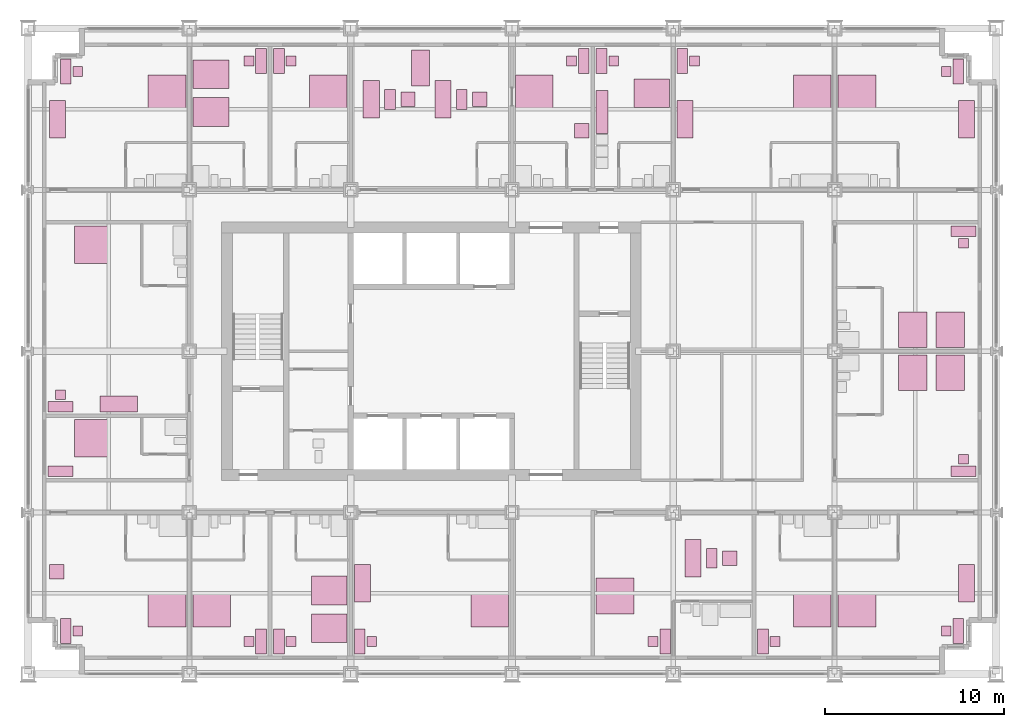
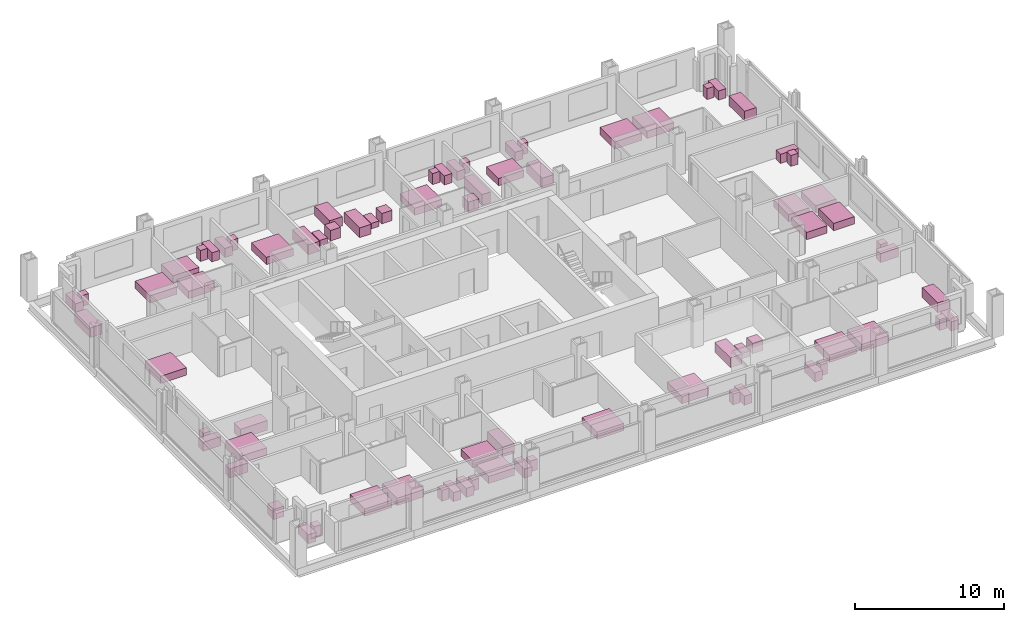
# One storey, part 18 of 18: 76 furniture elements.
"""IFC4 building model written with IfcOpenShell, lengths in metres."""

from ifc_helpers import new_model, si_unit, direction, frame, origin, origin_2d, place, context, subcontext, project, spatial, rectangle, extrude, element, save


model = new_model("IFC4")

# Units and contexts
model_context = context("Model", 3, precision=1e-05, world=origin(), true_north=direction((0.0, 1.0)))
body_context = subcontext(model_context, "Body", "Model", "MODEL_VIEW")
ifc_project = project(units=[si_unit("LENGTHUNIT", "METRE"), si_unit("AREAUNIT", "SQUARE_METRE"), si_unit("VOLUMEUNIT", "CUBIC_METRE"), si_unit("PLANEANGLEUNIT", "RADIAN"), si_unit("MASSUNIT", "GRAM", prefix="KILO")], contexts=[model_context])

# Site, building, storey
site_placement = place(None, origin())
site = spatial("IfcSite", under=ifc_project, at=site_placement, CompositionType="ELEMENT")
building_placement = place(site_placement, origin())
building = spatial("IfcBuilding", under=site, at=building_placement, Name="Loomwork Tower", CompositionType="ELEMENT")
storey_placement = place(building_placement, frame((0.0, 0.0, 34.800048828125)))
storey = spatial("IfcBuildingStorey", under=building, at=storey_placement, Name="L07", CompositionType="ELEMENT", Elevation=34.800048828125)

# Furniture
furniture_1_placement = place(storey_placement, frame((7.75, 3.60009765625, 0.0), z_axis=(0.0, 0.0, 1.0), x_axis=(1.0, 0.0, 0.0)))
element("IfcFurniture", 1, at=furniture_1_placement, inside=storey, Name="King bed L07", PredefinedType="BED", context=body_context, shape_type="SweptSolid", body=[
    extrude(rectangle(XDim=2.10009765625, YDim=2.0, at=origin_2d()), origin(), (0.0, 0.0, 1.0), 0.60009765625),
])
furniture_2_placement = place(storey_placement, frame((2.10009765625, 2.39990234375, 0.0), z_axis=(0.0, 0.0, 1.0), x_axis=(1.0, 0.0, 0.0)))
element("IfcFurniture", 2, at=furniture_2_placement, inside=storey, Name="Writing desk L07", PredefinedType="DESK", context=body_context, shape_type="SweptSolid", body=[
    extrude(rectangle(XDim=0.60009765625, YDim=1.39990234375, at=origin_2d()), origin(), (0.0, 0.0, 1.0), 0.75),
])
furniture_3_placement = place(storey_placement, frame((2.77490234375, 2.39990234375, 0.0), z_axis=(0.0, 0.0, 1.0), x_axis=(1.0, 0.0, 0.0)))
element("IfcFurniture", 3, at=furniture_3_placement, inside=storey, Name="Desk chair L07", PredefinedType="CHAIR", context=body_context, shape_type="SweptSolid", body=[
    extrude(rectangle(XDim=0.550048828125, YDim=0.550048828125, at=origin_2d()), origin(), (0.0, 0.0, 1.0), 0.89990234375),
])
furniture_4_placement = place(storey_placement, frame((1.60009765625, 5.699951171875, 0.0), z_axis=(0.0, 0.0, 1.0), x_axis=(1.0, 0.0, 0.0)))
element("IfcFurniture", 4, at=furniture_4_placement, inside=storey, Name="Lounge armchair L07", PredefinedType="CHAIR", context=body_context, shape_type="SweptSolid", body=[
    extrude(rectangle(XDim=0.800048828125, YDim=0.800048828125, at=origin_2d()), origin(), (0.0, 0.0, 1.0), 0.85009765625),
])
furniture_5_placement = place(storey_placement, frame((10.25, 3.60009765625, 0.0), z_axis=(0.0, 0.0, 1.0), x_axis=(1.0, 0.0, 0.0)))
element("IfcFurniture", 5, at=furniture_5_placement, inside=storey, Name="King bed L07", PredefinedType="BED", context=body_context, shape_type="SweptSolid", body=[
    extrude(rectangle(XDim=2.10009765625, YDim=2.0, at=origin_2d()), origin(), (0.0, 0.0, 1.0), 0.60009765625),
])
furniture_6_placement = place(storey_placement, frame((13.0, 1.800048828125, 0.0), z_axis=(0.0, 0.0, 1.0), x_axis=(1.0, 0.0, 0.0)))
element("IfcFurniture", 6, at=furniture_6_placement, inside=storey, Name="Writing desk L07", PredefinedType="DESK", context=body_context, shape_type="SweptSolid", body=[
    extrude(rectangle(XDim=0.60009765625, YDim=1.39990234375, at=origin_2d()), origin(), (0.0, 0.0, 1.0), 0.75),
])
furniture_7_placement = place(storey_placement, frame((12.324951171875, 1.800048828125, 0.0), z_axis=(0.0, 0.0, 1.0), x_axis=(1.0, 0.0, 0.0)))
element("IfcFurniture", 7, at=furniture_7_placement, inside=storey, Name="Desk chair L07", PredefinedType="CHAIR", context=body_context, shape_type="SweptSolid", body=[
    extrude(rectangle(XDim=0.550048828125, YDim=0.550048828125, at=origin_2d()), origin(), (0.0, 0.0, 1.0), 0.89990234375),
])
for number, where, z_axis, x_axis, name in (
    (8, (16.800048828125, 4.64990234375, 0.0), (0.0, 0.0, 1.0), (1.0, 0.0, 0.0), "Queen bed L07"),
    (9, (16.800048828125, 2.550048828125, 0.0), (0.0, 0.0, 1.0), (1.0, 0.0, 0.0), "Queen bed L07"),
):
    element("IfcFurniture", number, at=place(storey_placement, frame(where, z_axis=z_axis, x_axis=x_axis)), inside=storey, Name=name, PredefinedType="BED", context=body_context, shape_type="SweptSolid", body=[
        extrude(rectangle(XDim=2.0, YDim=1.60009765625, at=origin_2d()), origin(), (0.0, 0.0, 1.0), 0.60009765625),
    ])
furniture_8_placement = place(storey_placement, frame((14.0, 1.800048828125, 0.0), z_axis=(0.0, 0.0, 1.0), x_axis=(1.0, 0.0, 0.0)))
element("IfcFurniture", 10, at=furniture_8_placement, inside=storey, Name="Writing desk L07", PredefinedType="DESK", context=body_context, shape_type="SweptSolid", body=[
    extrude(rectangle(XDim=0.60009765625, YDim=1.39990234375, at=origin_2d()), origin(), (0.0, 0.0, 1.0), 0.75),
])
furniture_9_placement = place(storey_placement, frame((14.675048828125, 1.800048828125, 0.0), z_axis=(0.0, 0.0, 1.0), x_axis=(1.0, 0.0, 0.0)))
element("IfcFurniture", 11, at=furniture_9_placement, inside=storey, Name="Desk chair L07", PredefinedType="CHAIR", context=body_context, shape_type="SweptSolid", body=[
    extrude(rectangle(XDim=0.550048828125, YDim=0.550048828125, at=origin_2d()), origin(), (0.0, 0.0, 1.0), 0.89990234375),
])
furniture_10_placement = place(storey_placement, frame((25.75, 3.60009765625, 0.0), z_axis=(0.0, 0.0, 1.0), x_axis=(1.0, 0.0, 0.0)))
element("IfcFurniture", 12, at=furniture_10_placement, inside=storey, Name="King bed L07", PredefinedType="BED", context=body_context, shape_type="SweptSolid", body=[
    extrude(rectangle(XDim=2.10009765625, YDim=2.0, at=origin_2d()), origin(), (0.0, 0.0, 1.0), 0.60009765625),
])
furniture_11_placement = place(storey_placement, frame((18.5, 1.800048828125, 0.0), z_axis=(0.0, 0.0, 1.0), x_axis=(1.0, 0.0, 0.0)))
element("IfcFurniture", 13, at=furniture_11_placement, inside=storey, Name="Writing desk L07", PredefinedType="DESK", context=body_context, shape_type="SweptSolid", body=[
    extrude(rectangle(XDim=0.60009765625, YDim=1.39990234375, at=origin_2d()), origin(), (0.0, 0.0, 1.0), 0.75),
])
furniture_12_placement = place(storey_placement, frame((19.175048828125, 1.800048828125, 0.0), z_axis=(0.0, 0.0, 1.0), x_axis=(1.0, 0.0, 0.0)))
element("IfcFurniture", 14, at=furniture_12_placement, inside=storey, Name="Desk chair L07", PredefinedType="CHAIR", context=body_context, shape_type="SweptSolid", body=[
    extrude(rectangle(XDim=0.550048828125, YDim=0.550048828125, at=origin_2d()), origin(), (0.0, 0.0, 1.0), 0.89990234375),
])
furniture_13_placement = place(storey_placement, frame((18.64990234375, 5.050048828125, 0.0), z_axis=(0.0, 0.0, 1.0), x_axis=(1.0, 0.0, 0.0)))
element("IfcFurniture", 15, at=furniture_13_placement, inside=storey, Name="Sofa L07", PredefinedType="SOFA", context=body_context, shape_type="SweptSolid", body=[
    extrude(rectangle(XDim=0.89990234375, YDim=2.10009765625, at=origin_2d()), origin(), (0.0, 0.0, 1.0), 0.800048828125),
])
furniture_14_placement = place(storey_placement, frame((32.75, 4.35009765625, 0.0), z_axis=(0.0, 0.0, 1.0), x_axis=(1.0, 0.0, 0.0)))
element("IfcFurniture", 16, at=furniture_14_placement, inside=storey, Name="King bed L07", PredefinedType="BED", context=body_context, shape_type="SweptSolid", body=[
    extrude(rectangle(XDim=2.10009765625, YDim=2.0, at=origin_2d()), origin(), (0.0, 0.0, 1.0), 0.60009765625),
])
furniture_15_placement = place(storey_placement, frame((35.550048828125, 1.800048828125, 0.0), z_axis=(0.0, 0.0, 1.0), x_axis=(1.0, 0.0, 0.0)))
element("IfcFurniture", 17, at=furniture_15_placement, inside=storey, Name="Writing desk L07", PredefinedType="DESK", context=body_context, shape_type="SweptSolid", body=[
    extrude(rectangle(XDim=0.60009765625, YDim=1.39990234375, at=origin_2d()), origin(), (0.0, 0.0, 1.0), 0.75),
])
furniture_16_placement = place(storey_placement, frame((34.875, 1.800048828125, 0.0), z_axis=(0.0, 0.0, 1.0), x_axis=(1.0, 0.0, 0.0)))
element("IfcFurniture", 18, at=furniture_16_placement, inside=storey, Name="Desk chair L07", PredefinedType="CHAIR", context=body_context, shape_type="SweptSolid", body=[
    extrude(rectangle(XDim=0.550048828125, YDim=0.550048828125, at=origin_2d()), origin(), (0.0, 0.0, 1.0), 0.89990234375),
])
furniture_17_placement = place(storey_placement, frame((37.10009765625, 6.449951171875, 0.0), z_axis=(0.0, 0.0, 1.0), x_axis=(1.0, 0.0, 0.0)))
element("IfcFurniture", 19, at=furniture_17_placement, inside=storey, Name="Sofa L07", PredefinedType="SOFA", context=body_context, shape_type="SweptSolid", body=[
    extrude(rectangle(XDim=0.89990234375, YDim=2.10009765625, at=origin_2d()), origin(), (0.0, 0.0, 1.0), 0.800048828125),
])
furniture_18_placement = place(storey_placement, frame((38.14990234375, 6.449951171875, 0.0), z_axis=(0.0, 0.0, 1.0), x_axis=(1.0, 0.0, 0.0)))
element("IfcFurniture", 20, at=furniture_18_placement, inside=storey, Name="Coffee table L07", PredefinedType="TABLE", context=body_context, shape_type="SweptSolid", body=[
    extrude(rectangle(XDim=0.60009765625, YDim=1.10009765625, at=origin_2d()), origin(), (0.0, 0.0, 1.0), 0.449951171875),
])
furniture_19_placement = place(storey_placement, frame((39.14990234375, 6.449951171875, 0.0), z_axis=(0.0, 0.0, 1.0), x_axis=(1.0, 0.0, 0.0)))
element("IfcFurniture", 21, at=furniture_19_placement, inside=storey, Name="Lounge armchair L07", PredefinedType="CHAIR", context=body_context, shape_type="SweptSolid", body=[
    extrude(rectangle(XDim=0.800048828125, YDim=0.800048828125, at=origin_2d()), origin(), (0.0, 0.0, 1.0), 0.85009765625),
])
furniture_20_placement = place(storey_placement, frame((43.75, 3.60009765625, 0.0), z_axis=(0.0, 0.0, 1.0), x_axis=(1.0, 0.0, 0.0)))
element("IfcFurniture", 22, at=furniture_20_placement, inside=storey, Name="King bed L07", PredefinedType="BED", context=body_context, shape_type="SweptSolid", body=[
    extrude(rectangle(XDim=2.10009765625, YDim=2.0, at=origin_2d()), origin(), (0.0, 0.0, 1.0), 0.60009765625),
])
furniture_21_placement = place(storey_placement, frame((41.0, 1.800048828125, 0.0), z_axis=(0.0, 0.0, 1.0), x_axis=(1.0, 0.0, 0.0)))
element("IfcFurniture", 23, at=furniture_21_placement, inside=storey, Name="Writing desk L07", PredefinedType="DESK", context=body_context, shape_type="SweptSolid", body=[
    extrude(rectangle(XDim=0.60009765625, YDim=1.39990234375, at=origin_2d()), origin(), (0.0, 0.0, 1.0), 0.75),
])
furniture_22_placement = place(storey_placement, frame((41.675048828125, 1.800048828125, 0.0), z_axis=(0.0, 0.0, 1.0), x_axis=(1.0, 0.0, 0.0)))
element("IfcFurniture", 24, at=furniture_22_placement, inside=storey, Name="Desk chair L07", PredefinedType="CHAIR", context=body_context, shape_type="SweptSolid", body=[
    extrude(rectangle(XDim=0.550048828125, YDim=0.550048828125, at=origin_2d()), origin(), (0.0, 0.0, 1.0), 0.89990234375),
])
furniture_23_placement = place(storey_placement, frame((46.25, 3.60009765625, 0.0), z_axis=(0.0, 0.0, 1.0), x_axis=(1.0, 0.0, 0.0)))
element("IfcFurniture", 25, at=furniture_23_placement, inside=storey, Name="King bed L07", PredefinedType="BED", context=body_context, shape_type="SweptSolid", body=[
    extrude(rectangle(XDim=2.10009765625, YDim=2.0, at=origin_2d()), origin(), (0.0, 0.0, 1.0), 0.60009765625),
])
furniture_24_placement = place(storey_placement, frame((51.89990234375, 2.39990234375, 0.0), z_axis=(0.0, 0.0, 1.0), x_axis=(1.0, 0.0, 0.0)))
element("IfcFurniture", 26, at=furniture_24_placement, inside=storey, Name="Writing desk L07", PredefinedType="DESK", context=body_context, shape_type="SweptSolid", body=[
    extrude(rectangle(XDim=0.60009765625, YDim=1.39990234375, at=origin_2d()), origin(), (0.0, 0.0, 1.0), 0.75),
])
furniture_25_placement = place(storey_placement, frame((51.22509765625, 2.39990234375, 0.0), z_axis=(0.0, 0.0, 1.0), x_axis=(1.0, 0.0, 0.0)))
element("IfcFurniture", 27, at=furniture_25_placement, inside=storey, Name="Desk chair L07", PredefinedType="CHAIR", context=body_context, shape_type="SweptSolid", body=[
    extrude(rectangle(XDim=0.550048828125, YDim=0.550048828125, at=origin_2d()), origin(), (0.0, 0.0, 1.0), 0.89990234375),
])
furniture_26_placement = place(storey_placement, frame((52.35009765625, 5.050048828125, 0.0), z_axis=(0.0, 0.0, 1.0), x_axis=(1.0, 0.0, 0.0)))
element("IfcFurniture", 28, at=furniture_26_placement, inside=storey, Name="Sofa L07", PredefinedType="SOFA", context=body_context, shape_type="SweptSolid", body=[
    extrude(rectangle(XDim=0.89990234375, YDim=2.10009765625, at=origin_2d()), origin(), (0.0, 0.0, 1.0), 0.800048828125),
])
furniture_27_placement = place(storey_placement, frame((7.75, 32.39990234375, 0.0), z_axis=(0.0, 0.0, 1.0), x_axis=(1.0, 0.0, 0.0)))
element("IfcFurniture", 29, at=furniture_27_placement, inside=storey, Name="King bed L07", PredefinedType="BED", context=body_context, shape_type="SweptSolid", body=[
    extrude(rectangle(XDim=2.10009765625, YDim=2.0, at=origin_2d()), origin(), (0.0, 0.0, 1.0), 0.60009765625),
])
furniture_28_placement = place(storey_placement, frame((2.10009765625, 33.60009765625, 0.0), z_axis=(0.0, 0.0, 1.0), x_axis=(1.0, 0.0, 0.0)))
element("IfcFurniture", 30, at=furniture_28_placement, inside=storey, Name="Writing desk L07", PredefinedType="DESK", context=body_context, shape_type="SweptSolid", body=[
    extrude(rectangle(XDim=0.60009765625, YDim=1.39990234375, at=origin_2d()), origin(), (0.0, 0.0, 1.0), 0.75),
])
furniture_29_placement = place(storey_placement, frame((2.77490234375, 33.60009765625, 0.0), z_axis=(0.0, 0.0, 1.0), x_axis=(1.0, 0.0, 0.0)))
element("IfcFurniture", 31, at=furniture_29_placement, inside=storey, Name="Desk chair L07", PredefinedType="CHAIR", context=body_context, shape_type="SweptSolid", body=[
    extrude(rectangle(XDim=0.550048828125, YDim=0.550048828125, at=origin_2d()), origin(), (0.0, 0.0, 1.0), 0.89990234375),
])
furniture_30_placement = place(storey_placement, frame((1.64990234375, 30.949951171875, 0.0), z_axis=(0.0, 0.0, 1.0), x_axis=(1.0, 0.0, 0.0)))
element("IfcFurniture", 32, at=furniture_30_placement, inside=storey, Name="Sofa L07", PredefinedType="SOFA", context=body_context, shape_type="SweptSolid", body=[
    extrude(rectangle(XDim=0.89990234375, YDim=2.10009765625, at=origin_2d()), origin(), (0.0, 0.0, 1.0), 0.800048828125),
])
for number, where, z_axis, x_axis, name in (
    (33, (10.199951171875, 31.35009765625, 0.0), (0.0, 0.0, 1.0), (1.0, 0.0, 0.0), "Queen bed L07"),
    (34, (10.199951171875, 33.449951171875, 0.0), (0.0, 0.0, 1.0), (1.0, 0.0, 0.0), "Queen bed L07"),
):
    element("IfcFurniture", number, at=place(storey_placement, frame(where, z_axis=z_axis, x_axis=x_axis)), inside=storey, Name=name, PredefinedType="BED", context=body_context, shape_type="SweptSolid", body=[
        extrude(rectangle(XDim=2.0, YDim=1.60009765625, at=origin_2d()), origin(), (0.0, 0.0, 1.0), 0.60009765625),
    ])
furniture_31_placement = place(storey_placement, frame((13.0, 34.199951171875, 0.0), z_axis=(0.0, 0.0, 1.0), x_axis=(1.0, 0.0, 0.0)))
element("IfcFurniture", 35, at=furniture_31_placement, inside=storey, Name="Writing desk L07", PredefinedType="DESK", context=body_context, shape_type="SweptSolid", body=[
    extrude(rectangle(XDim=0.60009765625, YDim=1.39990234375, at=origin_2d()), origin(), (0.0, 0.0, 1.0), 0.75),
])
furniture_32_placement = place(storey_placement, frame((12.324951171875, 34.199951171875, 0.0), z_axis=(0.0, 0.0, 1.0), x_axis=(1.0, 0.0, 0.0)))
element("IfcFurniture", 36, at=furniture_32_placement, inside=storey, Name="Desk chair L07", PredefinedType="CHAIR", context=body_context, shape_type="SweptSolid", body=[
    extrude(rectangle(XDim=0.550048828125, YDim=0.550048828125, at=origin_2d()), origin(), (0.0, 0.0, 1.0), 0.89990234375),
])
furniture_33_placement = place(storey_placement, frame((16.75, 32.39990234375, 0.0), z_axis=(0.0, 0.0, 1.0), x_axis=(1.0, 0.0, 0.0)))
element("IfcFurniture", 37, at=furniture_33_placement, inside=storey, Name="King bed L07", PredefinedType="BED", context=body_context, shape_type="SweptSolid", body=[
    extrude(rectangle(XDim=2.10009765625, YDim=2.0, at=origin_2d()), origin(), (0.0, 0.0, 1.0), 0.60009765625),
])
furniture_34_placement = place(storey_placement, frame((14.0, 34.199951171875, 0.0), z_axis=(0.0, 0.0, 1.0), x_axis=(1.0, 0.0, 0.0)))
element("IfcFurniture", 38, at=furniture_34_placement, inside=storey, Name="Writing desk L07", PredefinedType="DESK", context=body_context, shape_type="SweptSolid", body=[
    extrude(rectangle(XDim=0.60009765625, YDim=1.39990234375, at=origin_2d()), origin(), (0.0, 0.0, 1.0), 0.75),
])
furniture_35_placement = place(storey_placement, frame((14.675048828125, 34.199951171875, 0.0), z_axis=(0.0, 0.0, 1.0), x_axis=(1.0, 0.0, 0.0)))
element("IfcFurniture", 39, at=furniture_35_placement, inside=storey, Name="Desk chair L07", PredefinedType="CHAIR", context=body_context, shape_type="SweptSolid", body=[
    extrude(rectangle(XDim=0.550048828125, YDim=0.550048828125, at=origin_2d()), origin(), (0.0, 0.0, 1.0), 0.89990234375),
])
furniture_36_placement = place(storey_placement, frame((19.14990234375, 32.050048828125, 0.0), z_axis=(0.0, 0.0, 1.0), x_axis=(1.0, 0.0, 0.0)))
element("IfcFurniture", 40, at=furniture_36_placement, inside=storey, Name="Sofa L07", PredefinedType="SOFA", context=body_context, shape_type="SweptSolid", body=[
    extrude(rectangle(XDim=0.89990234375, YDim=2.10009765625, at=origin_2d()), origin(), (0.0, 0.0, 1.0), 0.800048828125),
])
furniture_37_placement = place(storey_placement, frame((20.199951171875, 32.050048828125, 0.0), z_axis=(0.0, 0.0, 1.0), x_axis=(1.0, 0.0, 0.0)))
element("IfcFurniture", 41, at=furniture_37_placement, inside=storey, Name="Coffee table L07", PredefinedType="TABLE", context=body_context, shape_type="SweptSolid", body=[
    extrude(rectangle(XDim=0.60009765625, YDim=1.10009765625, at=origin_2d()), origin(), (0.0, 0.0, 1.0), 0.449951171875),
])
furniture_38_placement = place(storey_placement, frame((21.199951171875, 32.050048828125, 0.0), z_axis=(0.0, 0.0, 1.0), x_axis=(1.0, 0.0, 0.0)))
element("IfcFurniture", 42, at=furniture_38_placement, inside=storey, Name="Lounge armchair L07", PredefinedType="CHAIR", context=body_context, shape_type="SweptSolid", body=[
    extrude(rectangle(XDim=0.800048828125, YDim=0.800048828125, at=origin_2d()), origin(), (0.0, 0.0, 1.0), 0.85009765625),
])
furniture_39_placement = place(storey_placement, frame((23.14990234375, 32.050048828125, 0.0), z_axis=(0.0, 0.0, 1.0), x_axis=(1.0, 0.0, 0.0)))
element("IfcFurniture", 43, at=furniture_39_placement, inside=storey, Name="Sofa L07", PredefinedType="SOFA", context=body_context, shape_type="SweptSolid", body=[
    extrude(rectangle(XDim=0.89990234375, YDim=2.10009765625, at=origin_2d()), origin(), (0.0, 0.0, 1.0), 0.800048828125),
])
furniture_40_placement = place(storey_placement, frame((24.199951171875, 32.050048828125, 0.0), z_axis=(0.0, 0.0, 1.0), x_axis=(1.0, 0.0, 0.0)))
element("IfcFurniture", 44, at=furniture_40_placement, inside=storey, Name="Coffee table L07", PredefinedType="TABLE", context=body_context, shape_type="SweptSolid", body=[
    extrude(rectangle(XDim=0.60009765625, YDim=1.10009765625, at=origin_2d()), origin(), (0.0, 0.0, 1.0), 0.449951171875),
])
furniture_41_placement = place(storey_placement, frame((25.199951171875, 32.050048828125, 0.0), z_axis=(0.0, 0.0, 1.0), x_axis=(1.0, 0.0, 0.0)))
element("IfcFurniture", 45, at=furniture_41_placement, inside=storey, Name="Lounge armchair L07", PredefinedType="CHAIR", context=body_context, shape_type="SweptSolid", body=[
    extrude(rectangle(XDim=0.800048828125, YDim=0.800048828125, at=origin_2d()), origin(), (0.0, 0.0, 1.0), 0.85009765625),
])
furniture_42_placement = place(storey_placement, frame((21.89990234375, 33.800048828125, 0.0), z_axis=(0.0, 0.0, 1.0), x_axis=(1.0, 0.0, 0.0)))
element("IfcFurniture", 46, at=furniture_42_placement, inside=storey, Name="Dining table L07", PredefinedType="TABLE", context=body_context, shape_type="SweptSolid", body=[
    extrude(rectangle(XDim=1.0, YDim=2.0, at=origin_2d()), origin(), (0.0, 0.0, 1.0), 0.75),
])
furniture_43_placement = place(storey_placement, frame((28.25, 32.39990234375, 0.0), z_axis=(0.0, 0.0, 1.0), x_axis=(1.0, 0.0, 0.0)))
element("IfcFurniture", 47, at=furniture_43_placement, inside=storey, Name="King bed L07", PredefinedType="BED", context=body_context, shape_type="SweptSolid", body=[
    extrude(rectangle(XDim=2.10009765625, YDim=2.0, at=origin_2d()), origin(), (0.0, 0.0, 1.0), 0.60009765625),
])
furniture_44_placement = place(storey_placement, frame((31.0, 34.199951171875, 0.0), z_axis=(0.0, 0.0, 1.0), x_axis=(1.0, 0.0, 0.0)))
element("IfcFurniture", 48, at=furniture_44_placement, inside=storey, Name="Writing desk L07", PredefinedType="DESK", context=body_context, shape_type="SweptSolid", body=[
    extrude(rectangle(XDim=0.60009765625, YDim=1.39990234375, at=origin_2d()), origin(), (0.0, 0.0, 1.0), 0.75),
])
furniture_45_placement = place(storey_placement, frame((30.324951171875, 34.199951171875, 0.0), z_axis=(0.0, 0.0, 1.0), x_axis=(1.0, 0.0, 0.0)))
element("IfcFurniture", 49, at=furniture_45_placement, inside=storey, Name="Desk chair L07", PredefinedType="CHAIR", context=body_context, shape_type="SweptSolid", body=[
    extrude(rectangle(XDim=0.550048828125, YDim=0.550048828125, at=origin_2d()), origin(), (0.0, 0.0, 1.0), 0.89990234375),
])
furniture_46_placement = place(storey_placement, frame((30.89990234375, 30.300048828125, 0.0), z_axis=(0.0, 0.0, 1.0), x_axis=(1.0, 0.0, 0.0)))
element("IfcFurniture", 50, at=furniture_46_placement, inside=storey, Name="Lounge armchair L07", PredefinedType="CHAIR", context=body_context, shape_type="SweptSolid", body=[
    extrude(rectangle(XDim=0.800048828125, YDim=0.800048828125, at=origin_2d()), origin(), (0.0, 0.0, 1.0), 0.85009765625),
])
furniture_47_placement = place(storey_placement, frame((34.800048828125, 32.39990234375, 0.0), z_axis=(0.0, 0.0, 1.0), x_axis=(1.0, 0.0, 0.0)))
element("IfcFurniture", 51, at=furniture_47_placement, inside=storey, Name="Queen bed L07", PredefinedType="BED", context=body_context, shape_type="SweptSolid", body=[
    extrude(rectangle(XDim=2.0, YDim=1.60009765625, at=origin_2d()), origin(), (0.0, 0.0, 1.0), 0.60009765625),
])
furniture_48_placement = place(storey_placement, frame((32.0, 34.199951171875, 0.0), z_axis=(0.0, 0.0, 1.0), x_axis=(1.0, 0.0, 0.0)))
element("IfcFurniture", 52, at=furniture_48_placement, inside=storey, Name="Writing desk L07", PredefinedType="DESK", context=body_context, shape_type="SweptSolid", body=[
    extrude(rectangle(XDim=0.60009765625, YDim=1.39990234375, at=origin_2d()), origin(), (0.0, 0.0, 1.0), 0.75),
])
furniture_49_placement = place(storey_placement, frame((32.675048828125, 34.199951171875, 0.0), z_axis=(0.0, 0.0, 1.0), x_axis=(1.0, 0.0, 0.0)))
element("IfcFurniture", 53, at=furniture_49_placement, inside=storey, Name="Desk chair L07", PredefinedType="CHAIR", context=body_context, shape_type="SweptSolid", body=[
    extrude(rectangle(XDim=0.550048828125, YDim=0.550048828125, at=origin_2d()), origin(), (0.0, 0.0, 1.0), 0.89990234375),
])
furniture_50_placement = place(storey_placement, frame((32.02490234375, 31.35009765625, 0.0), z_axis=(0.0, 0.0, 1.0), x_axis=(1.0, 0.0, 0.0)))
element("IfcFurniture", 54, at=furniture_50_placement, inside=storey, Name="Kitchenette counter L07", ObjectType="KITCHENETTE", PredefinedType="USERDEFINED", context=body_context, shape_type="SweptSolid", body=[
    extrude(rectangle(XDim=0.64990234375, YDim=2.39990234375, at=origin_2d()), origin(), (0.0, 0.0, 1.0), 0.89990234375),
])
furniture_51_placement = place(storey_placement, frame((43.75, 32.39990234375, 0.0), z_axis=(0.0, 0.0, 1.0), x_axis=(1.0, 0.0, 0.0)))
element("IfcFurniture", 55, at=furniture_51_placement, inside=storey, Name="King bed L07", PredefinedType="BED", context=body_context, shape_type="SweptSolid", body=[
    extrude(rectangle(XDim=2.10009765625, YDim=2.0, at=origin_2d()), origin(), (0.0, 0.0, 1.0), 0.60009765625),
])
furniture_52_placement = place(storey_placement, frame((36.5, 34.199951171875, 0.0), z_axis=(0.0, 0.0, 1.0), x_axis=(1.0, 0.0, 0.0)))
element("IfcFurniture", 56, at=furniture_52_placement, inside=storey, Name="Writing desk L07", PredefinedType="DESK", context=body_context, shape_type="SweptSolid", body=[
    extrude(rectangle(XDim=0.60009765625, YDim=1.39990234375, at=origin_2d()), origin(), (0.0, 0.0, 1.0), 0.75),
])
furniture_53_placement = place(storey_placement, frame((37.175048828125, 34.199951171875, 0.0), z_axis=(0.0, 0.0, 1.0), x_axis=(1.0, 0.0, 0.0)))
element("IfcFurniture", 57, at=furniture_53_placement, inside=storey, Name="Desk chair L07", PredefinedType="CHAIR", context=body_context, shape_type="SweptSolid", body=[
    extrude(rectangle(XDim=0.550048828125, YDim=0.550048828125, at=origin_2d()), origin(), (0.0, 0.0, 1.0), 0.89990234375),
])
furniture_54_placement = place(storey_placement, frame((36.64990234375, 30.949951171875, 0.0), z_axis=(0.0, 0.0, 1.0), x_axis=(1.0, 0.0, 0.0)))
element("IfcFurniture", 58, at=furniture_54_placement, inside=storey, Name="Sofa L07", PredefinedType="SOFA", context=body_context, shape_type="SweptSolid", body=[
    extrude(rectangle(XDim=0.89990234375, YDim=2.10009765625, at=origin_2d()), origin(), (0.0, 0.0, 1.0), 0.800048828125),
])
furniture_55_placement = place(storey_placement, frame((46.25, 32.39990234375, 0.0), z_axis=(0.0, 0.0, 1.0), x_axis=(1.0, 0.0, 0.0)))
element("IfcFurniture", 59, at=furniture_55_placement, inside=storey, Name="King bed L07", PredefinedType="BED", context=body_context, shape_type="SweptSolid", body=[
    extrude(rectangle(XDim=2.10009765625, YDim=2.0, at=origin_2d()), origin(), (0.0, 0.0, 1.0), 0.60009765625),
])
furniture_56_placement = place(storey_placement, frame((51.89990234375, 33.60009765625, 0.0), z_axis=(0.0, 0.0, 1.0), x_axis=(1.0, 0.0, 0.0)))
element("IfcFurniture", 60, at=furniture_56_placement, inside=storey, Name="Writing desk L07", PredefinedType="DESK", context=body_context, shape_type="SweptSolid", body=[
    extrude(rectangle(XDim=0.60009765625, YDim=1.39990234375, at=origin_2d()), origin(), (0.0, 0.0, 1.0), 0.75),
])
furniture_57_placement = place(storey_placement, frame((51.22509765625, 33.60009765625, 0.0), z_axis=(0.0, 0.0, 1.0), x_axis=(1.0, 0.0, 0.0)))
element("IfcFurniture", 61, at=furniture_57_placement, inside=storey, Name="Desk chair L07", PredefinedType="CHAIR", context=body_context, shape_type="SweptSolid", body=[
    extrude(rectangle(XDim=0.550048828125, YDim=0.550048828125, at=origin_2d()), origin(), (0.0, 0.0, 1.0), 0.89990234375),
])
furniture_58_placement = place(storey_placement, frame((52.35009765625, 30.949951171875, 0.0), z_axis=(0.0, 0.0, 1.0), x_axis=(1.0, 0.0, 0.0)))
element("IfcFurniture", 62, at=furniture_58_placement, inside=storey, Name="Sofa L07", PredefinedType="SOFA", context=body_context, shape_type="SweptSolid", body=[
    extrude(rectangle(XDim=0.89990234375, YDim=2.10009765625, at=origin_2d()), origin(), (0.0, 0.0, 1.0), 0.800048828125),
])
furniture_59_placement = place(storey_placement, frame((3.60009765625, 13.14990234375, 0.0), z_axis=(0.0, 0.0, 1.0), x_axis=(1.0, 0.0, 0.0)))
element("IfcFurniture", 63, at=furniture_59_placement, inside=storey, Name="King bed L07", PredefinedType="BED", context=body_context, shape_type="SweptSolid", body=[
    extrude(rectangle(XDim=2.0, YDim=2.10009765625, at=origin_2d()), origin(), (0.0, 0.0, 1.0), 0.60009765625),
])
furniture_60_placement = place(storey_placement, frame((1.800048828125, 11.300048828125, 0.0), z_axis=(0.0, 0.0, 1.0), x_axis=(1.0, 0.0, 0.0)))
element("IfcFurniture", 64, at=furniture_60_placement, inside=storey, Name="Writing desk L07", PredefinedType="DESK", context=body_context, shape_type="SweptSolid", body=[
    extrude(rectangle(XDim=1.39990234375, YDim=0.60009765625, at=origin_2d()), origin(), (0.0, 0.0, 1.0), 0.75),
])
furniture_61_placement = place(storey_placement, frame((3.60009765625, 23.949951171875, 0.0), z_axis=(0.0, 0.0, 1.0), x_axis=(1.0, 0.0, 0.0)))
element("IfcFurniture", 65, at=furniture_61_placement, inside=storey, Name="King bed L07", PredefinedType="BED", context=body_context, shape_type="SweptSolid", body=[
    extrude(rectangle(XDim=2.0, YDim=2.10009765625, at=origin_2d()), origin(), (0.0, 0.0, 1.0), 0.60009765625),
])
furniture_62_placement = place(storey_placement, frame((1.800048828125, 14.89990234375, 0.0), z_axis=(0.0, 0.0, 1.0), x_axis=(1.0, 0.0, 0.0)))
element("IfcFurniture", 66, at=furniture_62_placement, inside=storey, Name="Writing desk L07", PredefinedType="DESK", context=body_context, shape_type="SweptSolid", body=[
    extrude(rectangle(XDim=1.39990234375, YDim=0.60009765625, at=origin_2d()), origin(), (0.0, 0.0, 1.0), 0.75),
])
furniture_63_placement = place(storey_placement, frame((1.800048828125, 15.574951171875, 0.0), z_axis=(0.0, 0.0, 1.0), x_axis=(1.0, 0.0, 0.0)))
element("IfcFurniture", 67, at=furniture_63_placement, inside=storey, Name="Desk chair L07", PredefinedType="CHAIR", context=body_context, shape_type="SweptSolid", body=[
    extrude(rectangle(XDim=0.550048828125, YDim=0.550048828125, at=origin_2d()), origin(), (0.0, 0.0, 1.0), 0.89990234375),
])
furniture_64_placement = place(storey_placement, frame((5.050048828125, 15.050048828125, 0.0), z_axis=(0.0, 0.0, 1.0), x_axis=(1.0, 0.0, 0.0)))
element("IfcFurniture", 68, at=furniture_64_placement, inside=storey, Name="Sofa L07", PredefinedType="SOFA", context=body_context, shape_type="SweptSolid", body=[
    extrude(rectangle(XDim=2.10009765625, YDim=0.89990234375, at=origin_2d()), origin(), (0.0, 0.0, 1.0), 0.800048828125),
])
for number, where, z_axis, x_axis, name in (
    (69, (49.35009765625, 16.800048828125, 0.0), (0.0, 0.0, 1.0), (1.0, 0.0, 0.0), "Queen bed L07"),
    (70, (51.449951171875, 16.800048828125, 0.0), (0.0, 0.0, 1.0), (1.0, 0.0, 0.0), "Queen bed L07"),
):
    element("IfcFurniture", number, at=place(storey_placement, frame(where, z_axis=z_axis, x_axis=x_axis)), inside=storey, Name=name, PredefinedType="BED", context=body_context, shape_type="SweptSolid", body=[
        extrude(rectangle(XDim=1.60009765625, YDim=2.0, at=origin_2d()), origin(), (0.0, 0.0, 1.0), 0.60009765625),
    ])
furniture_65_placement = place(storey_placement, frame((52.199951171875, 11.300048828125, 0.0), z_axis=(0.0, 0.0, 1.0), x_axis=(1.0, 0.0, 0.0)))
element("IfcFurniture", 71, at=furniture_65_placement, inside=storey, Name="Writing desk L07", PredefinedType="DESK", context=body_context, shape_type="SweptSolid", body=[
    extrude(rectangle(XDim=1.39990234375, YDim=0.60009765625, at=origin_2d()), origin(), (0.0, 0.0, 1.0), 0.75),
])
furniture_66_placement = place(storey_placement, frame((52.199951171875, 11.97509765625, 0.0), z_axis=(0.0, 0.0, 1.0), x_axis=(1.0, 0.0, 0.0)))
element("IfcFurniture", 72, at=furniture_66_placement, inside=storey, Name="Desk chair L07", PredefinedType="CHAIR", context=body_context, shape_type="SweptSolid", body=[
    extrude(rectangle(XDim=0.550048828125, YDim=0.550048828125, at=origin_2d()), origin(), (0.0, 0.0, 1.0), 0.89990234375),
])
for number, where, z_axis, x_axis, name in (
    (73, (49.35009765625, 19.199951171875, 0.0), (0.0, 0.0, 1.0), (1.0, 0.0, 0.0), "Queen bed L07"),
    (74, (51.449951171875, 19.199951171875, 0.0), (0.0, 0.0, 1.0), (1.0, 0.0, 0.0), "Queen bed L07"),
):
    element("IfcFurniture", number, at=place(storey_placement, frame(where, z_axis=z_axis, x_axis=x_axis)), inside=storey, Name=name, PredefinedType="BED", context=body_context, shape_type="SweptSolid", body=[
        extrude(rectangle(XDim=1.60009765625, YDim=2.0, at=origin_2d()), origin(), (0.0, 0.0, 1.0), 0.60009765625),
    ])
furniture_67_placement = place(storey_placement, frame((52.199951171875, 24.699951171875, 0.0), z_axis=(0.0, 0.0, 1.0), x_axis=(1.0, 0.0, 0.0)))
element("IfcFurniture", 75, at=furniture_67_placement, inside=storey, Name="Writing desk L07", PredefinedType="DESK", context=body_context, shape_type="SweptSolid", body=[
    extrude(rectangle(XDim=1.39990234375, YDim=0.60009765625, at=origin_2d()), origin(), (0.0, 0.0, 1.0), 0.75),
])
furniture_68_placement = place(storey_placement, frame((52.199951171875, 24.02490234375, 0.0), z_axis=(0.0, 0.0, 1.0), x_axis=(1.0, 0.0, 0.0)))
element("IfcFurniture", 76, at=furniture_68_placement, inside=storey, Name="Desk chair L07", PredefinedType="CHAIR", context=body_context, shape_type="SweptSolid", body=[
    extrude(rectangle(XDim=0.550048828125, YDim=0.550048828125, at=origin_2d()), origin(), (0.0, 0.0, 1.0), 0.89990234375),
])

save(model, "model.ifc")
